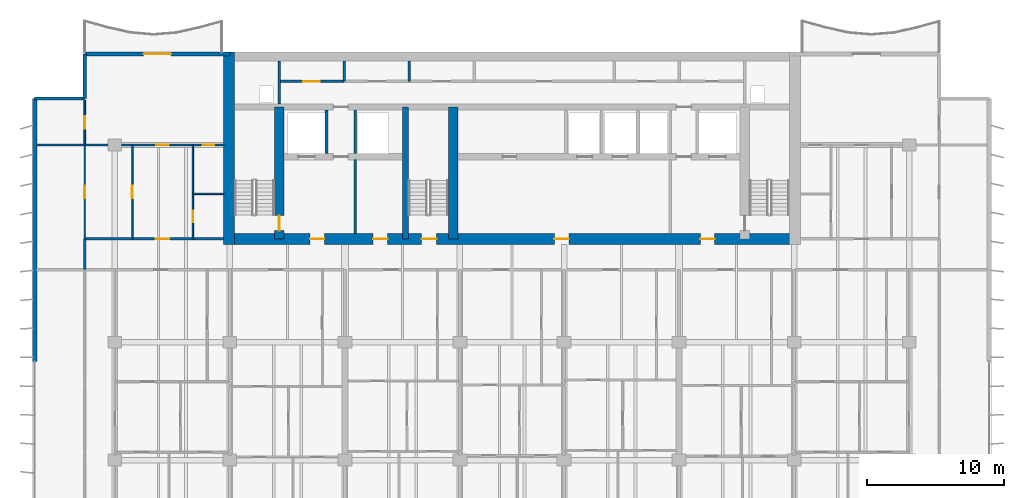
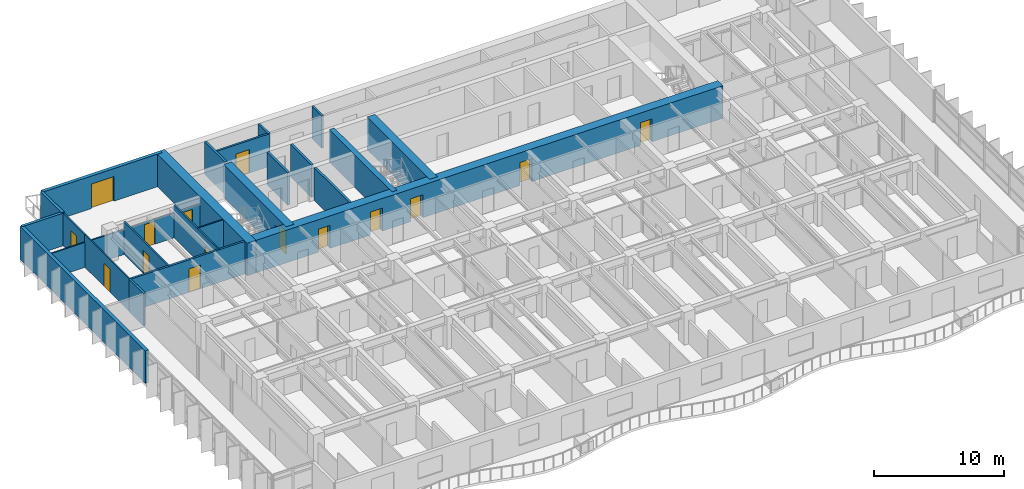
# One storey, part 11 of 18: 24 walls, 15 doors, 15 openings.
"""IFC4 building model written with IfcOpenShell, lengths in metres."""

import ifcopenshell
import ifcopenshell.guid

model = None  # the IFC model being written
_history = None  # IfcOwnerHistory: only IFC2X3 demands one
_inside = {}  # id of a spatial element -> (the spatial element, [elements in it])
_under = {}  # id of a project, library or spatial element -> (it, [spatial elements below it])
_declared = {}  # id of a project -> (the project, [libraries it declares])
_typed = {}  # id of a type object -> (the type object, [elements of that type])
_made_of = {}  # id of a material, layer set ... -> (it, [elements and type objects made of it])


def new_model(schema):
    """Start an empty IFC model of exactly this schema.

    Asked for "IFC4X3", IfcOpenShell would pick the latest addendum, in which some entities
    have other attributes; the version numbers below select the first issue.
    IFC2X3 requires an IfcOwnerHistory on every rooted entity: one is made here for all.
    """
    global model, _history
    if schema == "IFC4X3":
        model = ifcopenshell.file(schema_version=(4, 3, 0, 0))
    else:
        model = ifcopenshell.file(schema=schema)
    _inside.clear()
    _under.clear()
    _declared.clear()
    _typed.clear()
    _made_of.clear()
    _history = None
    if model.schema == "IFC2X3":
        org = make("IfcOrganization", Name="unknown")
        user = make(
            "IfcPersonAndOrganization",
            ThePerson=make("IfcPerson", FamilyName="unknown"),
            TheOrganization=org,
        )
        app = make(
            "IfcApplication",
            ApplicationDeveloper=org,
            Version="unknown",
            ApplicationFullName="unknown",
            ApplicationIdentifier="unknown",
        )
        _history = make(
            "IfcOwnerHistory",
            OwningUser=user,
            OwningApplication=app,
            ChangeAction="ADDED",
            CreationDate=0,
        )
    return model


def make(cls, **values):
    """One entity of the class cls with the attributes given. An attribute that is None is left unset."""
    return model.create_entity(
        cls, **{name: value for name, value in values.items() if value is not None}
    )


def rooted(cls, **values):
    """An entity with a GlobalId (a new one), such as an element, a storey or a relation."""
    return make(cls, GlobalId=ifcopenshell.guid.new(), OwnerHistory=_history, **values)


def si_unit(unit_type, name, prefix=None):
    """IfcSIUnit, for example si_unit("LENGTHUNIT", "METRE", prefix="MILLI")."""
    return make("IfcSIUnit", UnitType=unit_type, Prefix=prefix, Name=name)


def assignment(units):
    """IfcUnitAssignment: the units of a project."""
    return None if units is None else make("IfcUnitAssignment", Units=units)


def point(xyz):
    """IfcCartesianPoint."""
    return None if xyz is None else make("IfcCartesianPoint", Coordinates=xyz)


def direction(xyz):
    """IfcDirection."""
    return None if xyz is None else make("IfcDirection", DirectionRatios=xyz)


def frame(location, z_axis=None, x_axis=None):
    """IfcAxis2Placement3D, a coordinate frame: its origin and axes. An axis left out is left unset."""
    return make(
        "IfcAxis2Placement3D",
        Location=point(location),
        Axis=direction(z_axis),
        RefDirection=direction(x_axis),
    )


def frame_2d(location, x_axis=None):
    """IfcAxis2Placement2D, a coordinate frame in the plane: its origin and x axis."""
    return make(
        "IfcAxis2Placement2D", Location=point(location), RefDirection=direction(x_axis)
    )


def origin():
    """The frame at (0, 0, 0) with its axes left unset."""
    return frame((0.0, 0.0, 0.0))


def place(relative_to, where):
    """IfcLocalPlacement: puts the frame where relative to a parent placement (None: the world)."""
    return make(
        "IfcLocalPlacement", PlacementRelTo=relative_to, RelativePlacement=where
    )


def context(
    kind, dimensions, precision=None, world=None, true_north=None, identifier=None
):
    """IfcGeometricRepresentationContext, for example the 3D "Model" context."""
    return make(
        "IfcGeometricRepresentationContext",
        ContextIdentifier=identifier,
        ContextType=kind,
        CoordinateSpaceDimension=dimensions,
        Precision=precision,
        WorldCoordinateSystem=world,
        TrueNorth=true_north,
    )


def subcontext(parent, identifier, kind, view, scale=None):
    """IfcGeometricRepresentationSubContext, for example "Body" below "Model"."""
    return make(
        "IfcGeometricRepresentationSubContext",
        ContextIdentifier=identifier,
        ContextType=kind,
        ParentContext=parent,
        TargetScale=scale,
        TargetView=view,
    )


def project(units=None, contexts=None):
    """IfcProject with its units and contexts."""
    return rooted(
        "IfcProject",
        Name="project",
        RepresentationContexts=contexts,
        UnitsInContext=assignment(units),
    )


def spatial(cls, under=None, at=None, **own):
    """A site, building, storey or space (cls), placed at a placement, below another one or the project."""
    s = rooted(cls, ObjectPlacement=at, **own)
    if under is not None:
        _under.setdefault(under.id(), (under, []))[1].append(s)
    return s


def profile(cls, at=None, kind="AREA", **sizes):
    """A parametric profile (cls). Its sizes go by their IFC names, for example OverallWidth=200.0."""
    return make(cls, ProfileType=kind, Position=at, **sizes)


def rectangle(**sizes):
    """IfcRectangleProfileDef."""
    return profile("IfcRectangleProfileDef", **sizes)


def extrude(swept, where, along, depth):
    """IfcExtrudedAreaSolid: the profile swept, set in the frame where, extruded along a direction by depth."""
    return make(
        "IfcExtrudedAreaSolid",
        SweptArea=swept,
        Position=where,
        ExtrudedDirection=direction(along),
        Depth=depth,
    )


def shape(context_of_items, identifier, shape_type, items):
    """IfcShapeRepresentation: the items that make up one representation, for example the "Body"."""
    return make(
        "IfcShapeRepresentation",
        ContextOfItems=context_of_items,
        RepresentationIdentifier=identifier,
        RepresentationType=shape_type,
        Items=items,
    )


def material(Name=None, Category=None):
    """IfcMaterial."""
    return make("IfcMaterial", Name=Name, Category=Category)


def layer(
    of_material, thickness, ventilated=None, Name=None, Category=None, Priority=None
):
    """IfcMaterialLayer: one layer of a wall or slab, of a material (None: an air gap)."""
    return make(
        "IfcMaterialLayer",
        Material=of_material,
        LayerThickness=thickness,
        IsVentilated=ventilated,
        Name=Name,
        Category=Category,
        Priority=Priority,
    )


def layer_set(layers, Name=None):
    """IfcMaterialLayerSet."""
    return make("IfcMaterialLayerSet", MaterialLayers=layers, LayerSetName=Name)


def made_of(thing, what):
    """Note that an element or type object is made of a material, layer set ...; save() writes the relation."""
    if what is not None:
        _made_of.setdefault(what.id(), (what, []))[1].append(thing)
    return thing


def type_object(cls, material=None, **own):
    """A type object (cls), such as IfcWallType, which elements share."""
    return made_of(rooted(cls, **own), material)


def element(
    cls,
    number,
    at=None,
    inside=None,
    cuts=None,
    type_object=None,
    material=None,
    context=None,
    identifier="Body",
    shape_type=None,
    held_by="IfcProductDefinitionShape",
    body=None,
    shapes=None,
    **own,
):
    """One element of the class cls, such as IfcWall. Its Tag is "e" and its number.

    at: its placement. inside: the storey or other place that contains it. cuts: it is an
    opening in that element (IfcRelVoidsElement). A single representation is given by context,
    identifier, shape_type and body (its items); several are given by shapes. held_by: the class
    of the entity that holds the representations. save() writes the other relations.
    """
    e = rooted(cls, Tag="e%d" % number, ObjectPlacement=at, **own)
    if body is not None:
        shapes = [shape(context, identifier, shape_type, body)]
    if shapes is not None:
        e.Representation = make(held_by, Representations=shapes)
    if inside is not None:
        _inside.setdefault(inside.id(), (inside, []))[1].append(e)
    if cuts is not None:
        rooted(
            "IfcRelVoidsElement", RelatingBuildingElement=cuts, RelatedOpeningElement=e
        )
    if type_object is not None:
        _typed.setdefault(type_object.id(), (type_object, []))[1].append(e)
    return made_of(e, material)


def fill(opening, filler):
    """IfcRelFillsElement: the door or window that sits in an opening."""
    return rooted(
        "IfcRelFillsElement",
        RelatingOpeningElement=opening,
        RelatedBuildingElement=filler,
    )


def aggregate(whole, parts):
    """IfcRelAggregates: a whole, such as a stair, and the parts it consists of."""
    return rooted("IfcRelAggregates", RelatingObject=whole, RelatedObjects=parts)


def save(model, path):
    """Write the relations noted so far, then the file.

    IfcRelAggregates (storeys below a building ...), IfcRelContainedInSpatialStructure (elements
    in a storey), IfcRelDefinesByType, IfcRelAssociatesMaterial and IfcRelDeclares: one each for
    every whole, place, type object, material and project.
    """
    for whole, parts in _under.values():
        aggregate(whole, parts)
    for where, things in _inside.values():
        rooted(
            "IfcRelContainedInSpatialStructure",
            RelatedElements=things,
            RelatingStructure=where,
        )
    for kind, things in _typed.values():
        rooted("IfcRelDefinesByType", RelatedObjects=things, RelatingType=kind)
    for what, things in _made_of.values():
        rooted("IfcRelAssociatesMaterial", RelatedObjects=things, RelatingMaterial=what)
    for by, libraries in _declared.values():
        rooted("IfcRelDeclares", RelatingContext=by, RelatedDefinitions=libraries)
    model.write(path)


model = new_model("IFC4")

# Units and contexts
model_context = context("Model", 3, precision=1e-05, world=origin(), true_north=direction((0.0, 1.0)))
body_context = subcontext(model_context, "Body", "Model", "MODEL_VIEW")
ifc_project = project(units=[si_unit("LENGTHUNIT", "METRE"), si_unit("AREAUNIT", "SQUARE_METRE"), si_unit("VOLUMEUNIT", "CUBIC_METRE"), si_unit("PLANEANGLEUNIT", "RADIAN"), si_unit("MASSUNIT", "GRAM", prefix="KILO")], contexts=[model_context])

# Site, building, storey
site_placement = place(None, origin())
site = spatial("IfcSite", under=ifc_project, at=site_placement, CompositionType="ELEMENT")
building_placement = place(site_placement, origin())
building = spatial("IfcBuilding", under=site, at=building_placement, Name="Caelmar Bay Residences", CompositionType="ELEMENT")
storey_placement = place(building_placement, frame((0.0, 0.0, 129.0)))
storey = spatial("IfcBuildingStorey", under=building, at=storey_placement, Name="L35", CompositionType="ELEMENT", Elevation=129.0)

# Wall, opening, door
ifc_material_1 = material(Name="Concrete f'c 55 MPa (8,000 psi)", Category="concrete")
ifc_layer_1 = layer(ifc_material_1, 0.699951171875)
ifc_layer_set_1 = layer_set([ifc_layer_1], Name="Concrete f'c 55 MPa (8,000 psi)")
wall_type_1 = type_object("IfcWallType", Name="SW-COR-700", PredefinedType="SHEAR", material=ifc_layer_set_1)
wall_1_placement = place(storey_placement, frame((21.89990234375, 36.949951171875, 0.0), z_axis=(0.0, 0.0, 1.0), x_axis=(0.0, 1.0, 0.0)))
wall_1 = element("IfcWall", 1, at=wall_1_placement, inside=storey, type_object=wall_type_1, Name="L35 Core Structural Web Wall ST1E", PredefinedType="SHEAR", context=body_context, shape_type="SweptSolid", body=[
    extrude(rectangle(XDim=9.625, YDim=0.699951171875, at=frame_2d((4.8125, 0.0))), origin(), (0.0, 0.0, 1.0), 3.050048828125),
])
opening_1_placement = place(wall_1_placement, frame((0.60009765625, 0.0, 0.0)))
opening_1 = element("IfcOpeningElement", 2, at=opening_1_placement, cuts=wall_1, Name="Opening D-L35-107", PredefinedType="OPENING", context=body_context, shape_type="SweptSolid", body=[
    extrude(rectangle(XDim=1.10009765625, YDim=2.14990234375, at=frame_2d((0.550048828125, 1.074951171875))), frame((0.0, 0.35986328125, 0.0), z_axis=(0.0, -1.0, 0.0), x_axis=(1.0, 0.0, 0.0)), (0.0, 0.0, 1.0), 0.719970703125),
])
ifc_material_2 = material(Name="Fire-rated steel and walnut architectural door assembly", Category="steel")
ifc_layer_2 = layer(ifc_material_2, 0.050048828125)
ifc_layer_set_2 = layer_set([ifc_layer_2], Name="Fire-rated steel and walnut architectural door assembly")
door_type_1 = type_object("IfcDoorType", Name="D-STAIR-1100", OperationType="NOTDEFINED", PredefinedType="DOOR", material=ifc_layer_set_2)
door_1_placement = place(opening_1_placement, origin())
door_1 = element("IfcDoor", 3, at=door_1_placement, inside=storey, type_object=door_type_1, Name="L35 Firefighting Lobby West Door", OperationType="SINGLE_SWING_RIGHT", OverallHeight=2.14990234375, OverallWidth=1.10009765625, PredefinedType="DOOR", context=body_context, shape_type="SweptSolid", body=[
    extrude(rectangle(XDim=1.10009765625, YDim=2.14990234375, at=frame_2d((0.550048828125, 1.074951171875))), frame((0.0, 0.02490234375, 0.0), z_axis=(0.0, -1.0, 0.0), x_axis=(1.0, 0.0, 0.0)), (0.0, 0.0, 1.0), 0.050048828125),
])
fill(opening_1, door_1)

# Wall
wall_2_placement = place(storey_placement, frame((34.60009765625, 36.949951171875, 0.0), z_axis=(0.0, 0.0, 1.0), x_axis=(0.0, 1.0, 0.0)))
element("IfcWall", 4, at=wall_2_placement, inside=storey, type_object=wall_type_1, Name="L35 Core Structural Web Wall ST3E", PredefinedType="SHEAR", context=body_context, shape_type="SweptSolid", body=[
    extrude(rectangle(XDim=9.625, YDim=0.699951171875, at=frame_2d((4.8125, 0.0))), origin(), (0.0, 0.0, 1.0), 3.050048828125),
])

# Wall, openings, doors
ifc_material_3 = material(Name="Concrete f'c 70 MPa (10,000 psi)", Category="concrete")
ifc_layer_3 = layer(ifc_material_3, 0.800048828125)
ifc_layer_set_3 = layer_set([ifc_layer_3], Name="Concrete f'c 70 MPa (10,000 psi)")
wall_type_2 = type_object("IfcWallType", Name="SW-COR-800", PredefinedType="SHEAR", material=ifc_layer_set_3)
wall_3_placement = place(storey_placement, frame((17.85009765625, 36.949951171875, 0.0), z_axis=(0.0, 0.0, 1.0), x_axis=(1.0, 0.0, 0.0)))
wall_3 = element("IfcWall", 5, at=wall_3_placement, inside=storey, type_object=wall_type_2, Name="L35 Rear Core South Shear Wall", PredefinedType="SHEAR", context=body_context, shape_type="SweptSolid", body=[
    extrude(rectangle(XDim=42.099853515625, YDim=0.800048828125, at=frame_2d((21.0498046875, 0.0))), origin(), (0.0, 0.0, 1.0), 3.050048828125),
])
opening_2_placement = place(wall_3_placement, frame((14.449951171875, 0.0, 0.0)))
opening_2 = element("IfcOpeningElement", 6, at=opening_2_placement, cuts=wall_3, Name="Opening D-L35-105", PredefinedType="OPENING", context=body_context, shape_type="SweptSolid", body=[
    extrude(rectangle(XDim=1.10009765625, YDim=2.14990234375, at=frame_2d((0.550048828125, 1.074951171875))), frame((0.0, 0.409912109375, 0.0), z_axis=(0.0, -1.0, 0.0), x_axis=(1.0, 0.0, 0.0)), (0.0, 0.0, 1.0), 0.820068359375),
])
opening_3_placement = place(wall_3_placement, frame((6.300048828125, 0.0, 0.0)))
opening_3 = element("IfcOpeningElement", 7, at=opening_3_placement, cuts=wall_3, Name="Opening D-L35-106", PredefinedType="OPENING", context=body_context, shape_type="SweptSolid", body=[
    extrude(rectangle(XDim=1.050048828125, YDim=2.14990234375, at=frame_2d((0.52490234375, 1.074951171875))), frame((0.0, 0.409912109375, 0.0), z_axis=(0.0, -1.0, 0.0), x_axis=(1.0, 0.0, 0.0)), (0.0, 0.0, 1.0), 0.820068359375),
])
opening_4_placement = place(wall_3_placement, frame((34.800048828125, 0.0, 0.0)))
opening_4 = element("IfcOpeningElement", 8, at=opening_4_placement, cuts=wall_3, Name="Opening D-L35-109", PredefinedType="OPENING", context=body_context, shape_type="SweptSolid", body=[
    extrude(rectangle(XDim=1.050048828125, YDim=2.14990234375, at=frame_2d((0.52490234375, 1.074951171875))), frame((0.0, 0.409912109375, 0.0), z_axis=(0.0, -1.0, 0.0), x_axis=(1.0, 0.0, 0.0)), (0.0, 0.0, 1.0), 0.820068359375),
])
opening_5_placement = place(wall_3_placement, frame((10.91259765625, 0.0, 0.0)))
opening_5 = element("IfcOpeningElement", 9, at=opening_5_placement, cuts=wall_3, Name="Opening D-L35-112", PredefinedType="OPENING", context=body_context, shape_type="SweptSolid", body=[
    extrude(rectangle(XDim=1.050048828125, YDim=2.14990234375, at=frame_2d((0.52490234375, 1.074951171875))), frame((0.0, 0.409912109375, 0.0), z_axis=(0.0, -1.0, 0.0), x_axis=(1.0, 0.0, 0.0)), (0.0, 0.0, 1.0), 0.820068359375),
])
opening_6_placement = place(wall_3_placement, frame((24.14990234375, 0.0, 0.0)))
opening_6 = element("IfcOpeningElement", 10, at=opening_6_placement, cuts=wall_3, Name="Opening D-L35-113", PredefinedType="OPENING", context=body_context, shape_type="SweptSolid", body=[
    extrude(rectangle(XDim=1.050048828125, YDim=2.14990234375, at=frame_2d((0.52490234375, 1.074951171875))), frame((0.0, 0.409912109375, 0.0), z_axis=(0.0, -1.0, 0.0), x_axis=(1.0, 0.0, 0.0)), (0.0, 0.0, 1.0), 0.820068359375),
])
ifc_layer_4 = layer(ifc_material_2, 0.050048828125)
ifc_layer_set_4 = layer_set([ifc_layer_4], Name="Fire-rated steel and walnut architectural door assembly")
door_type_2 = type_object("IfcDoorType", Name="D-FSAE-1050", OperationType="NOTDEFINED", PredefinedType="DOOR", material=ifc_layer_set_4)
door_2_placement = place(opening_3_placement, origin())
door_2 = element("IfcDoor", 11, at=door_2_placement, inside=storey, type_object=door_type_2, Name="L35 Firefighting Lobby West Door", OperationType="SINGLE_SWING_LEFT", OverallHeight=2.14990234375, OverallWidth=1.050048828125, PredefinedType="DOOR", context=body_context, shape_type="SweptSolid", body=[
    extrude(rectangle(XDim=1.050048828125, YDim=2.14990234375, at=frame_2d((0.52490234375, 1.074951171875))), frame((0.0, 0.02490234375, 0.0), z_axis=(0.0, -1.0, 0.0), x_axis=(1.0, 0.0, 0.0)), (0.0, 0.0, 1.0), 0.050048828125),
])
fill(opening_3, door_2)
door_3_placement = place(opening_4_placement, origin())
door_3 = element("IfcDoor", 12, at=door_3_placement, inside=storey, type_object=door_type_2, Name="L35 Firefighting Lobby East Door", OperationType="SINGLE_SWING_RIGHT", OverallHeight=2.14990234375, OverallWidth=1.050048828125, PredefinedType="DOOR", context=body_context, shape_type="SweptSolid", body=[
    extrude(rectangle(XDim=1.050048828125, YDim=2.14990234375, at=frame_2d((0.52490234375, 1.074951171875))), frame((0.0, 0.02490234375, 0.0), z_axis=(0.0, -1.0, 0.0), x_axis=(1.0, 0.0, 0.0)), (0.0, 0.0, 1.0), 0.050048828125),
])
fill(opening_4, door_3)
door_4_placement = place(opening_5_placement, origin())
door_4 = element("IfcDoor", 13, at=door_4_placement, inside=storey, type_object=door_type_2, Name="L35 West Lift Lobby Door", OperationType="SINGLE_SWING_LEFT", OverallHeight=2.14990234375, OverallWidth=1.050048828125, PredefinedType="DOOR", context=body_context, shape_type="SweptSolid", body=[
    extrude(rectangle(XDim=1.050048828125, YDim=2.14990234375, at=frame_2d((0.52490234375, 1.074951171875))), frame((0.0, 0.02490234375, 0.0), z_axis=(0.0, -1.0, 0.0), x_axis=(1.0, 0.0, 0.0)), (0.0, 0.0, 1.0), 0.050048828125),
])
fill(opening_5, door_4)
door_5_placement = place(opening_6_placement, origin())
door_5 = element("IfcDoor", 14, at=door_5_placement, inside=storey, type_object=door_type_2, Name="L35 Passenger Lift Lobby Door", OperationType="SINGLE_SWING_RIGHT", OverallHeight=2.14990234375, OverallWidth=1.050048828125, PredefinedType="DOOR", context=body_context, shape_type="SweptSolid", body=[
    extrude(rectangle(XDim=1.050048828125, YDim=2.14990234375, at=frame_2d((0.52490234375, 1.074951171875))), frame((0.0, 0.02490234375, 0.0), z_axis=(0.0, -1.0, 0.0), x_axis=(1.0, 0.0, 0.0)), (0.0, 0.0, 1.0), 0.050048828125),
])
fill(opening_6, door_5)
door_6_placement = place(opening_2_placement, origin())
door_6 = element("IfcDoor", 15, at=door_6_placement, inside=storey, type_object=door_type_1, Name="L35 Exit Stair ST3 Door", OperationType="SINGLE_SWING_RIGHT", OverallHeight=2.14990234375, OverallWidth=1.10009765625, PredefinedType="DOOR", context=body_context, shape_type="SweptSolid", body=[
    extrude(rectangle(XDim=1.10009765625, YDim=2.14990234375, at=frame_2d((0.550048828125, 1.074951171875))), frame((0.0, 0.02490234375, 0.0), z_axis=(0.0, -1.0, 0.0), x_axis=(1.0, 0.0, 0.0)), (0.0, 0.0, 1.0), 0.050048828125),
])
fill(opening_2, door_6)

# Walls
wall_4_placement = place(storey_placement, frame((18.25, 36.550048828125, 0.0), z_axis=(0.0, 0.0, 1.0), x_axis=(0.0, 1.0, 0.0)))
element("IfcWall", 16, at=wall_4_placement, inside=storey, type_object=wall_type_2, Name="L35 Rear Core West Shear Wall", PredefinedType="SHEAR", context=body_context, shape_type="SweptSolid", body=[
    extrude(rectangle(XDim=14.050048828125, YDim=0.800048828125, at=frame_2d((7.02490234375, 0.0))), origin(), (0.0, 0.0, 1.0), 3.050048828125),
])
ifc_layer_5 = layer(ifc_material_3, 0.449951171875)
ifc_layer_set_5 = layer_set([ifc_layer_5], Name="Concrete f'c 70 MPa (10,000 psi)")
wall_type_3 = type_object("IfcWallType", Name="SW-WEB-450", PredefinedType="SHEAR", material=ifc_layer_set_5)
wall_5_placement = place(storey_placement, frame((31.125, 36.949951171875, 0.0), z_axis=(0.0, 0.0, 1.0), x_axis=(0.0, 1.0, 0.0)))
element("IfcWall", 17, at=wall_5_placement, inside=storey, type_object=wall_type_3, Name="L35 Core Structural Web Wall ST3W", PredefinedType="SHEAR", context=body_context, shape_type="SweptSolid", body=[
    extrude(rectangle(XDim=9.625, YDim=0.449951171875, at=frame_2d((4.8125, 0.0))), origin(), (0.0, 0.0, 1.0), 3.050048828125),
])
ifc_material_4 = material(Name="Double-stud acoustic fire-rated gypsum partition 180 mm")
ifc_layer_6 = layer(ifc_material_4, 0.179931640625)
ifc_layer_set_6 = layer_set([ifc_layer_6], Name="Double-stud acoustic fire-rated gypsum partition 180 mm")
wall_type_4 = type_object("IfcWallType", Name="W-COR-200", PredefinedType="PARTITIONING", material=ifc_layer_set_6)
wall_6_placement = place(storey_placement, frame((7.699951171875, 34.705078125, 0.0), z_axis=(0.0, 0.0, 1.0), x_axis=(0.0, 1.0, 0.0)))
element("IfcWall", 18, at=wall_6_placement, inside=storey, type_object=wall_type_4, Name="L35 Partition Wall V006", PredefinedType="PARTITIONING", context=body_context, shape_type="SweptSolid", body=[
    extrude(rectangle(XDim=2.244873046875, YDim=0.179931640625, at=frame_2d((1.12255859375, 0.0))), origin(), (0.0, 0.0, 1.0), 3.050048828125),
])
for number, where, z_axis, x_axis, name in (
    (19, (26.64990234375, 48.449951171875, 0.0), (0.0, 0.0, 1.0), (0.0, 1.0, 0.0), "L35 Partition Wall V037"),
    (20, (31.39990234375, 48.449951171875, 0.0), (0.0, 0.0, 1.0), (0.0, 1.0, 0.0), "L35 Partition Wall V048"),
):
    element("IfcWall", number, at=place(storey_placement, frame(where, z_axis=z_axis, x_axis=x_axis)), inside=storey, type_object=wall_type_4, Name=name, PredefinedType="PARTITIONING", context=body_context, shape_type="SweptSolid", body=[
        extrude(rectangle(XDim=1.505126953125, YDim=0.179931640625, at=frame_2d((0.75244140625, 0.0))), origin(), (0.0, 0.0, 1.0), 3.050048828125),
    ])

# Wall, opening, door
wall_7_placement = place(storey_placement, frame((7.699951171875, 36.949951171875, 0.0), z_axis=(0.0, 0.0, 1.0), x_axis=(1.0, 0.0, 0.0)))
wall_7 = element("IfcWall", 21, at=wall_7_placement, inside=storey, type_object=wall_type_4, Name="L35 Partition Wall H147", PredefinedType="PARTITIONING", context=body_context, shape_type="SweptSolid", body=[
    extrude(rectangle(XDim=10.14501953125, YDim=0.179931640625, at=frame_2d((5.072509765625, 0.0))), origin(), (0.0, 0.0, 1.0), 3.050048828125),
])
opening_7_placement = place(wall_7_placement, frame((5.18798828125, 0.0, 0.0)))
opening_7 = element("IfcOpeningElement", 22, at=opening_7_placement, cuts=wall_7, Name="Opening D-L35-176", PredefinedType="OPENING", context=body_context, shape_type="SweptSolid", body=[
    extrude(rectangle(XDim=1.0, YDim=2.199951171875, at=frame_2d((0.5, 1.10009765625))), frame((0.0, 0.099853515625, 0.0), z_axis=(0.0, -1.0, 0.0), x_axis=(1.0, 0.0, 0.0)), (0.0, 0.0, 1.0), 0.199951171875),
])
ifc_layer_7 = layer(ifc_material_2, 0.050048828125)
ifc_layer_set_7 = layer_set([ifc_layer_7], Name="Fire-rated steel and walnut architectural door assembly")
door_type_3 = type_object("IfcDoorType", Name="D-UNIT-1000", OperationType="NOTDEFINED", PredefinedType="DOOR", material=ifc_layer_set_7)
door_7_placement = place(opening_7_placement, origin())
door_7 = element("IfcDoor", 23, at=door_7_placement, inside=storey, type_object=door_type_3, Name="L35 Residence WA Kitchen Door", OperationType="SINGLE_SWING_LEFT", OverallHeight=2.199951171875, OverallWidth=1.0, PredefinedType="DOOR", context=body_context, shape_type="SweptSolid", body=[
    extrude(rectangle(XDim=1.0, YDim=2.199951171875, at=frame_2d((0.5, 1.10009765625))), frame((0.0, 0.02490234375, 0.0), z_axis=(0.0, -1.0, 0.0), x_axis=(1.0, 0.0, 0.0)), (0.0, 0.0, 1.0), 0.050048828125),
])
fill(opening_7, door_7)

wall_8_placement = place(storey_placement, frame((21.89990234375, 48.449951171875, 0.0), z_axis=(0.0, 0.0, 1.0), x_axis=(1.0, 0.0, 0.0)))
wall_8 = element("IfcWall", 24, at=wall_8_placement, inside=storey, type_object=wall_type_4, Name="L35 Partition Wall H153", PredefinedType="PARTITIONING", context=body_context, shape_type="SweptSolid", body=[
    extrude(rectangle(XDim=4.75, YDim=0.179931640625, at=frame_2d((2.375, 0.0))), origin(), (0.0, 0.0, 1.0), 3.050048828125),
])
opening_8_placement = place(wall_8_placement, frame((1.77490234375, 0.0, 0.0)))
opening_8 = element("IfcOpeningElement", 25, at=opening_8_placement, cuts=wall_8, Name="Opening D-L35-117", PredefinedType="OPENING", context=body_context, shape_type="SweptSolid", body=[
    extrude(rectangle(XDim=1.199951171875, YDim=2.199951171875, at=frame_2d((0.60009765625, 1.10009765625))), frame((0.0, 0.099853515625, 0.0), z_axis=(0.0, -1.0, 0.0), x_axis=(1.0, 0.0, 0.0)), (0.0, 0.0, 1.0), 0.199951171875),
])
ifc_layer_8 = layer(ifc_material_2, 0.050048828125)
ifc_layer_set_8 = layer_set([ifc_layer_8], Name="Fire-rated steel and walnut architectural door assembly")
door_type_4 = type_object("IfcDoorType", Name="D-PLANT-1200", OperationType="NOTDEFINED", PredefinedType="DOOR", material=ifc_layer_set_8)
door_8_placement = place(opening_8_placement, origin())
door_8 = element("IfcDoor", 26, at=door_8_placement, inside=storey, type_object=door_type_4, Name="L35 Branch Panel Closet Door", OperationType="SINGLE_SWING_RIGHT", OverallHeight=2.199951171875, OverallWidth=1.199951171875, PredefinedType="DOOR", context=body_context, shape_type="SweptSolid", body=[
    extrude(rectangle(XDim=1.199951171875, YDim=2.199951171875, at=frame_2d((0.60009765625, 1.10009765625))), frame((0.0, 0.02490234375, 0.0), z_axis=(0.0, -1.0, 0.0), x_axis=(1.0, 0.0, 0.0)), (0.0, 0.0, 1.0), 0.050048828125),
])
fill(opening_8, door_8)

# Walls
ifc_material_5 = material(Name="Precast concrete f'c 40 MPa (6,000 psi)", Category="concrete")
ifc_layer_9 = layer(ifc_material_5, 0.25)
ifc_layer_set_9 = layer_set([ifc_layer_9], Name="Precast concrete f'c 40 MPa (6,000 psi)")
wall_type_5 = type_object("IfcWallType", Name="W-EXT-250", PredefinedType="ELEMENTEDWALL", material=ifc_layer_set_9)
wall_9_placement = place(storey_placement, frame((4.050048828125, 47.199951171875, 0.0), z_axis=(0.0, 0.0, 1.0), x_axis=(1.0, 0.0, 0.0)))
element("IfcWall", 27, at=wall_9_placement, inside=storey, type_object=wall_type_5, Name="L35 NNW-H Notch Wall", PredefinedType="ELEMENTEDWALL", context=body_context, shape_type="SweptSolid", body=[
    extrude(rectangle(XDim=3.64990234375, YDim=0.25, at=frame_2d((1.824951171875, 0.0))), origin(), (0.0, 0.0, 1.0), 3.050048828125),
])
wall_10_placement = place(storey_placement, frame((7.699951171875, 47.199951171875, 0.0), z_axis=(0.0, 0.0, 1.0), x_axis=(0.0, 1.0, 0.0)))
element("IfcWall", 28, at=wall_10_placement, inside=storey, type_object=wall_type_5, Name="L35 NNW-V Notch Wall", PredefinedType="ELEMENTEDWALL", context=body_context, shape_type="SweptSolid", body=[
    extrude(rectangle(XDim=3.25, YDim=0.25, at=frame_2d((1.625, 0.0))), origin(), (0.0, 0.0, 1.0), 3.050048828125),
])
ifc_layer_10 = layer(ifc_material_5, 0.300048828125)
ifc_layer_set_10 = layer_set([ifc_layer_10], Name="Precast concrete f'c 40 MPa (6,000 psi)")
wall_type_6 = type_object("IfcWallType", Name="W-EXT-300", PredefinedType="STANDARD", material=ifc_layer_set_10)
wall_11_placement = place(storey_placement, frame((4.050048828125, 28.0, 0.0), z_axis=(0.0, 0.0, 1.0), x_axis=(0.0, 1.0, 0.0)))
element("IfcWall", 29, at=wall_11_placement, inside=storey, type_object=wall_type_6, Name="L35 West Rear Exterior Wall", PredefinedType="STANDARD", context=body_context, shape_type="SweptSolid", body=[
    extrude(rectangle(XDim=19.199951171875, YDim=0.300048828125, at=frame_2d((9.60009765625, 0.0))), origin(), (0.0, 0.0, 1.0), 3.050048828125),
])

# Wall, opening, door
wall_12_placement = place(storey_placement, frame((7.699951171875, 50.449951171875, 0.0), z_axis=(0.0, 0.0, 1.0), x_axis=(1.0, 0.0, 0.0)))
wall_12 = element("IfcWall", 30, at=wall_12_placement, inside=storey, type_object=wall_type_6, Name="L35 North-West Wing Exterior Wall", PredefinedType="STANDARD", context=body_context, shape_type="SweptSolid", body=[
    extrude(rectangle(XDim=10.60009765625, YDim=0.300048828125, at=frame_2d((5.300048828125, 0.0))), origin(), (0.0, 0.0, 1.0), 3.050048828125),
])
opening_9_placement = place(wall_12_placement, frame((4.300048828125, 0.0, 0.0)))
opening_9 = element("IfcOpeningElement", 31, at=opening_9_placement, cuts=wall_12, Name="Opening L35-BDNW", PredefinedType="OPENING", context=body_context, shape_type="SweptSolid", body=[
    extrude(rectangle(XDim=2.0, YDim=2.300048828125, at=frame_2d((1.0, 1.14990234375))), frame((0.0, 0.159912109375, 0.0), z_axis=(0.0, -1.0, 0.0), x_axis=(1.0, 0.0, 0.0)), (0.0, 0.0, 1.0), 0.320068359375),
])
ifc_material_6 = material(Name="Anodised bronze thermally broken sliding glass door", Category="glass")
ifc_layer_11 = layer(ifc_material_6, 0.050048828125)
ifc_layer_set_11 = layer_set([ifc_layer_11], Name="Anodised bronze thermally broken sliding glass door")
door_type_5 = type_object("IfcDoorType", Name="D-BAL-2000", OperationType="DOUBLE_DOOR_SLIDING", PredefinedType="DOOR", material=ifc_layer_set_11)
door_9_placement = place(opening_9_placement, origin())
door_9 = element("IfcDoor", 32, at=door_9_placement, inside=storey, type_object=door_type_5, Name="L35 North-West Balcony Door", OperationType="DOUBLE_DOOR_SLIDING", OverallHeight=2.300048828125, OverallWidth=2.0, PredefinedType="DOOR", context=body_context, shape_type="SweptSolid", body=[
    extrude(rectangle(XDim=2.0, YDim=2.300048828125, at=frame_2d((1.0, 1.14990234375))), frame((0.0, 0.02490234375, 0.0), z_axis=(0.0, -1.0, 0.0), x_axis=(1.0, 0.0, 0.0)), (0.0, 0.0, 1.0), 0.050048828125),
])
fill(opening_9, door_9)

# Walls
ifc_material_7 = material(Name="Fire-rated masonry and gypsum shaftliner assembly 200 mm", Category="masonry")
ifc_layer_12 = layer(ifc_material_7, 0.199951171875)
ifc_layer_set_12 = layer_set([ifc_layer_12], Name="Fire-rated masonry and gypsum shaftliner assembly 200 mm")
wall_type_7 = type_object("IfcWallType", Name="W-FSAE-200", PredefinedType="PARTITIONING", material=ifc_layer_set_12)
wall_13_placement = place(storey_placement, frame((21.89990234375, 46.794921875, 0.0), z_axis=(0.0, 0.0, 1.0), x_axis=(0.0, 1.0, 0.0)))
element("IfcWall", 33, at=wall_13_placement, inside=storey, type_object=wall_type_7, Name="L35 Partition Wall V029", PredefinedType="PARTITIONING", context=body_context, shape_type="SweptSolid", body=[
    extrude(rectangle(XDim=3.16015625, YDim=0.199951171875, at=frame_2d((1.580078125, 0.0))), origin(), (0.0, 0.0, 1.0), 3.050048828125),
])
wall_14_placement = place(storey_placement, frame((25.35009765625, 43.169921875, 0.0), z_axis=(0.0, 0.0, 1.0), x_axis=(0.0, 1.0, 0.0)))
element("IfcWall", 34, at=wall_14_placement, inside=storey, type_object=wall_type_7, Name="L35 Partition Wall V036", PredefinedType="PARTITIONING", context=body_context, shape_type="SweptSolid", body=[
    extrude(rectangle(XDim=3.18505859375, YDim=0.199951171875, at=frame_2d((1.592529296875, 0.0))), origin(), (0.0, 0.0, 1.0), 3.050048828125),
])
wall_15_placement = place(storey_placement, frame((27.449951171875, 37.344970703125, 0.0), z_axis=(0.0, 0.0, 1.0), x_axis=(0.0, 1.0, 0.0)))
element("IfcWall", 35, at=wall_15_placement, inside=storey, type_object=wall_type_7, Name="L35 Partition Wall V041", PredefinedType="PARTITIONING", context=body_context, shape_type="SweptSolid", body=[
    extrude(rectangle(XDim=5.385009765625, YDim=0.199951171875, at=frame_2d((2.6923828125, 0.0))), origin(), (0.0, 0.0, 1.0), 3.050048828125),
])
wall_16_placement = place(storey_placement, frame((27.449951171875, 43.169921875, 0.0), z_axis=(0.0, 0.0, 1.0), x_axis=(0.0, 1.0, 0.0)))
element("IfcWall", 36, at=wall_16_placement, inside=storey, type_object=wall_type_7, Name="L35 Partition Wall V042", PredefinedType="PARTITIONING", context=body_context, shape_type="SweptSolid", body=[
    extrude(rectangle(XDim=3.18505859375, YDim=0.199951171875, at=frame_2d((1.592529296875, 0.0))), origin(), (0.0, 0.0, 1.0), 3.050048828125),
])

# Wall, opening, door
ifc_material_8 = material(Name="Anodised bronze framed acoustic sliding study partition 100 mm")
ifc_layer_13 = layer(ifc_material_8, 0.10009765625)
ifc_layer_set_13 = layer_set([ifc_layer_13], Name="Anodised bronze framed acoustic sliding study partition 100 mm")
wall_type_8 = type_object("IfcWallType", Name="W-MOV-100", PredefinedType="MOVABLE", material=ifc_layer_set_13)
wall_17_placement = place(storey_placement, frame((7.699951171875, 36.955078125, 0.0), z_axis=(0.0, 0.0, 1.0), x_axis=(0.0, 1.0, 0.0)))
wall_17 = element("IfcWall", 37, at=wall_17_placement, inside=storey, type_object=wall_type_8, Name="L35 Partition Wall V007", PredefinedType="MOVABLE", context=body_context, shape_type="SweptSolid", body=[
    extrude(rectangle(XDim=6.844970703125, YDim=0.10009765625, at=frame_2d((3.42236328125, 0.0))), origin(), (0.0, 0.0, 1.0), 3.050048828125),
])
opening_10_placement = place(wall_17_placement, frame((2.972412109375, 0.0, 0.0)))
opening_10 = element("IfcOpeningElement", 38, at=opening_10_placement, cuts=wall_17, Name="Opening D-L35-180", PredefinedType="OPENING", context=body_context, shape_type="SweptSolid", body=[
    extrude(rectangle(XDim=0.89990234375, YDim=2.14990234375, at=frame_2d((0.449951171875, 1.074951171875))), frame((0.0, 0.06005859375, 0.0), z_axis=(0.0, -1.0, 0.0), x_axis=(1.0, 0.0, 0.0)), (0.0, 0.0, 1.0), 0.1201171875),
])
ifc_material_9 = material(Name="Solid walnut timber interior door leaf and frame", Category="wood")
ifc_layer_14 = layer(ifc_material_9, 0.050048828125)
ifc_layer_set_14 = layer_set([ifc_layer_14], Name="Solid walnut timber interior door leaf and frame")
door_type_6 = type_object("IfcDoorType", Name="D-ROOM-900", OperationType="NOTDEFINED", PredefinedType="DOOR", material=ifc_layer_set_14)
door_10_placement = place(opening_10_placement, origin())
door_10 = element("IfcDoor", 39, at=door_10_placement, inside=storey, type_object=door_type_6, Name="L35 Residence WA Sun Study Door", OperationType="SINGLE_SWING_LEFT", OverallHeight=2.14990234375, OverallWidth=0.89990234375, PredefinedType="DOOR", context=body_context, shape_type="SweptSolid", body=[
    extrude(rectangle(XDim=0.89990234375, YDim=2.14990234375, at=frame_2d((0.449951171875, 1.074951171875))), frame((0.0, 0.02490234375, 0.0), z_axis=(0.0, -1.0, 0.0), x_axis=(1.0, 0.0, 0.0)), (0.0, 0.0, 1.0), 0.050048828125),
])
fill(opening_10, door_10)

ifc_material_10 = material(Name="Acoustic metal-stud gypsum partition 120 mm")
ifc_layer_15 = layer(ifc_material_10, 0.1201171875)
ifc_layer_set_15 = layer_set([ifc_layer_15], Name="Acoustic metal-stud gypsum partition 120 mm")
wall_type_9 = type_object("IfcWallType", Name="W-PRT-120", PredefinedType="PARTITIONING", material=ifc_layer_set_15)
wall_18_placement = place(storey_placement, frame((7.699951171875, 43.804931640625, 0.0), z_axis=(0.0, 0.0, 1.0), x_axis=(0.0, 1.0, 0.0)))
wall_18 = element("IfcWall", 40, at=wall_18_placement, inside=storey, type_object=wall_type_9, Name="L35 Partition Wall V008", PredefinedType="PARTITIONING", context=body_context, shape_type="SweptSolid", body=[
    extrude(rectangle(XDim=3.275146484375, YDim=0.1201171875, at=frame_2d((1.6376953125, 0.0))), origin(), (0.0, 0.0, 1.0), 3.050048828125),
])
opening_11_placement = place(wall_18_placement, frame((1.1875, 0.0, 0.0)))
opening_11 = element("IfcOpeningElement", 41, at=opening_11_placement, cuts=wall_18, Name="Opening D-L35-181", PredefinedType="OPENING", context=body_context, shape_type="SweptSolid", body=[
    extrude(rectangle(XDim=0.89990234375, YDim=2.14990234375, at=frame_2d((0.449951171875, 1.074951171875))), frame((0.0, 0.070068359375, 0.0), z_axis=(0.0, -1.0, 0.0), x_axis=(1.0, 0.0, 0.0)), (0.0, 0.0, 1.0), 0.14013671875),
])
door_11_placement = place(opening_11_placement, origin())
door_11 = element("IfcDoor", 42, at=door_11_placement, inside=storey, type_object=door_type_6, Name="L35 Residence WA North Sitting Alcove Door", OperationType="SINGLE_SWING_RIGHT", OverallHeight=2.14990234375, OverallWidth=0.89990234375, PredefinedType="DOOR", context=body_context, shape_type="SweptSolid", body=[
    extrude(rectangle(XDim=0.89990234375, YDim=2.14990234375, at=frame_2d((0.449951171875, 1.074951171875))), frame((0.0, 0.02490234375, 0.0), z_axis=(0.0, -1.0, 0.0), x_axis=(1.0, 0.0, 0.0)), (0.0, 0.0, 1.0), 0.050048828125),
])
fill(opening_11, door_11)

wall_19_placement = place(storey_placement, frame((11.176025390625, 36.949951171875, 0.0), z_axis=(0.0, 0.0, 1.0), x_axis=(0.0, 1.0, 0.0)))
wall_19 = element("IfcWall", 43, at=wall_19_placement, inside=storey, type_object=wall_type_9, Name="L35 Partition Wall V015", PredefinedType="PARTITIONING", context=body_context, shape_type="SweptSolid", body=[
    extrude(rectangle(XDim=6.85009765625, YDim=0.1201171875, at=frame_2d((3.425048828125, 0.0))), origin(), (0.0, 0.0, 1.0), 3.050048828125),
])
opening_12_placement = place(wall_19_placement, frame((2.97509765625, 0.0, 0.0)))
opening_12 = element("IfcOpeningElement", 44, at=opening_12_placement, cuts=wall_19, Name="Opening D-L35-175", PredefinedType="OPENING", context=body_context, shape_type="SweptSolid", body=[
    extrude(rectangle(XDim=0.89990234375, YDim=2.14990234375, at=frame_2d((0.449951171875, 1.074951171875))), frame((0.0, 0.070068359375, 0.0), z_axis=(0.0, -1.0, 0.0), x_axis=(1.0, 0.0, 0.0)), (0.0, 0.0, 1.0), 0.14013671875),
])
door_12_placement = place(opening_12_placement, origin())
door_12 = element("IfcDoor", 45, at=door_12_placement, inside=storey, type_object=door_type_6, Name="L35 Residence WA Dining Room Door", OperationType="SINGLE_SWING_RIGHT", OverallHeight=2.14990234375, OverallWidth=0.89990234375, PredefinedType="DOOR", context=body_context, shape_type="SweptSolid", body=[
    extrude(rectangle(XDim=0.89990234375, YDim=2.14990234375, at=frame_2d((0.449951171875, 1.074951171875))), frame((0.0, 0.02490234375, 0.0), z_axis=(0.0, -1.0, 0.0), x_axis=(1.0, 0.0, 0.0)), (0.0, 0.0, 1.0), 0.050048828125),
])
fill(opening_12, door_12)

wall_20_placement = place(storey_placement, frame((15.60009765625, 36.949951171875, 0.0), z_axis=(0.0, 0.0, 1.0), x_axis=(0.0, 1.0, 0.0)))
wall_20 = element("IfcWall", 46, at=wall_20_placement, inside=storey, type_object=wall_type_9, Name="L35 Partition Wall V021", PredefinedType="PARTITIONING", context=body_context, shape_type="SweptSolid", body=[
    extrude(rectangle(XDim=6.85009765625, YDim=0.1201171875, at=frame_2d((3.425048828125, 0.0))), origin(), (0.0, 0.0, 1.0), 3.050048828125),
])
opening_13_placement = place(wall_20_placement, frame((1.218994140625, 0.0, 0.0)))
opening_13 = element("IfcOpeningElement", 47, at=opening_13_placement, cuts=wall_20, Name="Opening D-L35-178", PredefinedType="OPENING", context=body_context, shape_type="SweptSolid", body=[
    extrude(rectangle(XDim=0.85009765625, YDim=2.10009765625, at=frame_2d((0.425048828125, 1.050048828125))), frame((0.0, 0.070068359375, 0.0), z_axis=(0.0, -1.0, 0.0), x_axis=(1.0, 0.0, 0.0)), (0.0, 0.0, 1.0), 0.14013671875),
])
ifc_layer_16 = layer(ifc_material_9, 0.050048828125)
ifc_layer_set_16 = layer_set([ifc_layer_16], Name="Solid walnut timber interior door leaf and frame")
door_type_7 = type_object("IfcDoorType", Name="D-BATH-850", OperationType="NOTDEFINED", PredefinedType="DOOR", material=ifc_layer_set_16)
door_13_placement = place(opening_13_placement, origin())
door_13 = element("IfcDoor", 48, at=door_13_placement, inside=storey, type_object=door_type_7, Name="L35 Residence WA Walk-In Closet Door", OperationType="SINGLE_SWING_LEFT", OverallHeight=2.10009765625, OverallWidth=0.85009765625, PredefinedType="DOOR", context=body_context, shape_type="SweptSolid", body=[
    extrude(rectangle(XDim=0.85009765625, YDim=2.10009765625, at=frame_2d((0.425048828125, 1.050048828125))), frame((0.0, 0.02490234375, 0.0), z_axis=(0.0, -1.0, 0.0), x_axis=(1.0, 0.0, 0.0)), (0.0, 0.0, 1.0), 0.050048828125),
])
fill(opening_13, door_13)

# Wall
wall_21_placement = place(storey_placement, frame((15.60009765625, 40.238037109375, 0.0), z_axis=(0.0, 0.0, 1.0), x_axis=(1.0, 0.0, 0.0)))
element("IfcWall", 49, at=wall_21_placement, inside=storey, type_object=wall_type_9, Name="L35 Partition Wall H149", PredefinedType="PARTITIONING", context=body_context, shape_type="SweptSolid", body=[
    extrude(rectangle(XDim=2.2548828125, YDim=0.1201171875, at=frame_2d((1.12744140625, 0.0))), origin(), (0.0, 0.0, 1.0), 3.050048828125),
])

# Wall, openings, doors
wall_22_placement = place(storey_placement, frame((4.195068359375, 43.800048828125, 0.0), z_axis=(0.0, 0.0, 1.0), x_axis=(1.0, 0.0, 0.0)))
wall_22 = element("IfcWall", 50, at=wall_22_placement, inside=storey, type_object=wall_type_9, Name="L35 Partition Wall H151", PredefinedType="PARTITIONING", context=body_context, shape_type="SweptSolid", body=[
    extrude(rectangle(XDim=13.659912109375, YDim=0.1201171875, at=frame_2d((6.830078125, 0.0))), origin(), (0.0, 0.0, 1.0), 2.339111328125),
])
opening_14_placement = place(wall_22_placement, frame((8.742919921875, 0.0, 0.0)))
opening_14 = element("IfcOpeningElement", 51, at=opening_14_placement, cuts=wall_22, Name="Opening D-L35-177", PredefinedType="OPENING", context=body_context, shape_type="SweptSolid", body=[
    extrude(rectangle(XDim=0.89990234375, YDim=2.14990234375, at=frame_2d((0.449951171875, 1.074951171875))), frame((0.0, 0.070068359375, 0.0), z_axis=(0.0, -1.0, 0.0), x_axis=(1.0, 0.0, 0.0)), (0.0, 0.0, 1.0), 0.14013671875),
])
opening_15_placement = place(wall_22_placement, frame((12.107421875, 0.0, 0.0)))
opening_15 = element("IfcOpeningElement", 52, at=opening_15_placement, cuts=wall_22, Name="Opening D-L35-179", PredefinedType="OPENING", context=body_context, shape_type="SweptSolid", body=[
    extrude(rectangle(XDim=0.85009765625, YDim=2.10009765625, at=frame_2d((0.425048828125, 1.050048828125))), frame((0.0, 0.070068359375, 0.0), z_axis=(0.0, -1.0, 0.0), x_axis=(1.0, 0.0, 0.0)), (0.0, 0.0, 1.0), 0.14013671875),
])
door_14_placement = place(opening_15_placement, origin())
door_14 = element("IfcDoor", 53, at=door_14_placement, inside=storey, type_object=door_type_7, Name="L35 Residence WA Bathroom Door", OperationType="SINGLE_SWING_RIGHT", OverallHeight=2.10009765625, OverallWidth=0.85009765625, PredefinedType="DOOR", context=body_context, shape_type="SweptSolid", body=[
    extrude(rectangle(XDim=0.85009765625, YDim=2.10009765625, at=frame_2d((0.425048828125, 1.050048828125))), frame((0.0, 0.02490234375, 0.0), z_axis=(0.0, -1.0, 0.0), x_axis=(1.0, 0.0, 0.0)), (0.0, 0.0, 1.0), 0.050048828125),
])
fill(opening_15, door_14)
door_15_placement = place(opening_14_placement, origin())
door_15 = element("IfcDoor", 54, at=door_15_placement, inside=storey, type_object=door_type_6, Name="L35 Residence WA Studio Living and Sleeping Room Door", OperationType="SINGLE_SWING_RIGHT", OverallHeight=2.14990234375, OverallWidth=0.89990234375, PredefinedType="DOOR", context=body_context, shape_type="SweptSolid", body=[
    extrude(rectangle(XDim=0.89990234375, YDim=2.14990234375, at=frame_2d((0.449951171875, 1.074951171875))), frame((0.0, 0.02490234375, 0.0), z_axis=(0.0, -1.0, 0.0), x_axis=(1.0, 0.0, 0.0)), (0.0, 0.0, 1.0), 0.050048828125),
])
fill(opening_14, door_15)

save(model, "model.ifc")
